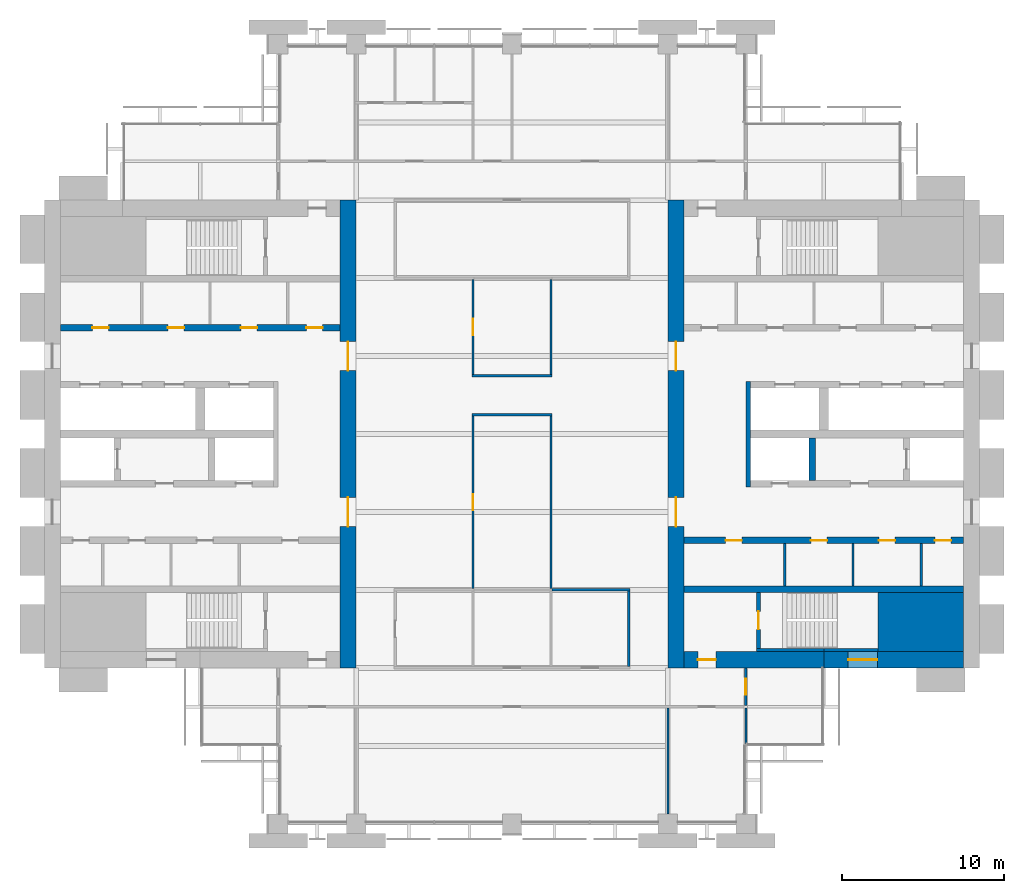
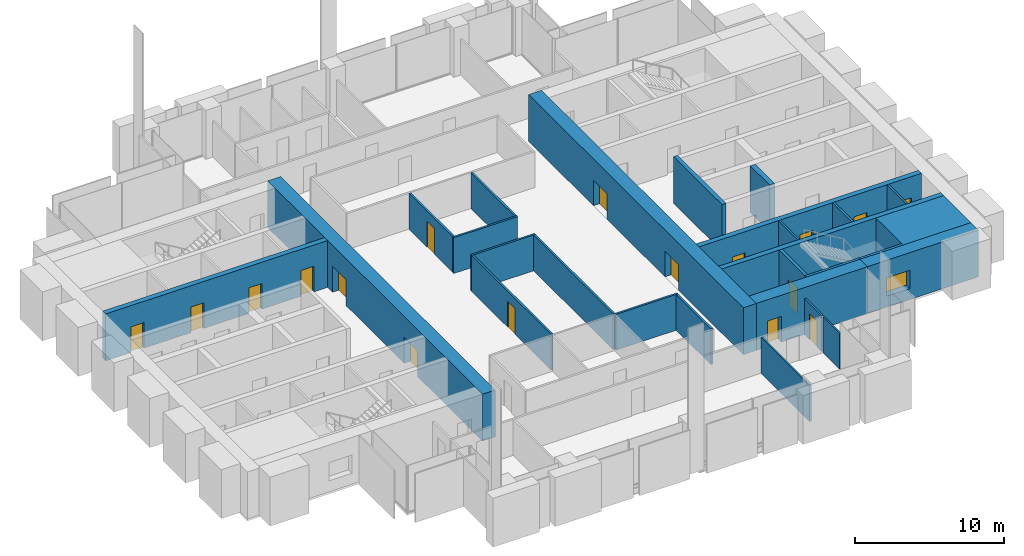
# One storey, part 10 of 14: 27 walls, 17 doors, 1 window, 18 openings.
"""IFC4 building model written with IfcOpenShell, lengths in metres."""

from ifc_helpers import new_model, si_unit, direction, frame, frame_2d, origin, place, context, subcontext, project, spatial, rectangle, extrude, material, layer, layer_set, type_object, element, fill, save


model = new_model("IFC4")

# Units and contexts
model_context = context("Model", 3, precision=1e-05, world=origin(), true_north=direction((0.0, 1.0)))
body_context = subcontext(model_context, "Body", "Model", "MODEL_VIEW")
ifc_project = project(units=[si_unit("LENGTHUNIT", "METRE"), si_unit("AREAUNIT", "SQUARE_METRE"), si_unit("VOLUMEUNIT", "CUBIC_METRE"), si_unit("PLANEANGLEUNIT", "RADIAN"), si_unit("MASSUNIT", "GRAM", prefix="KILO")], contexts=[model_context])

# Site, building, storey
site_placement = place(None, origin())
site = spatial("IfcSite", under=ifc_project, at=site_placement, CompositionType="ELEMENT")
building_placement = place(site_placement, origin())
building = spatial("IfcBuilding", under=site, at=building_placement, Name="Baori Bourse Tower", CompositionType="ELEMENT")
storey_placement = place(building_placement, frame((0.0, 0.0, 132.10009765625)))
storey = spatial("IfcBuildingStorey", under=building, at=storey_placement, Name="L28", CompositionType="ELEMENT", Elevation=132.10009765625)

# Walls
ifc_material_1 = material(Name="Concrete f'c 60 MPa", Category="concrete")
wall_type_1 = type_object("IfcWallType", Name="Core corner block f'c 60", PredefinedType="SHEAR", material=ifc_material_1)
wall_1_placement = place(storey_placement, frame((51.35009765625, 12.425048828125, 0.0), z_axis=(0.0, 0.0, 1.0), x_axis=(1.0, 0.0, 0.0)))
element("IfcWall", 1, at=wall_1_placement, inside=storey, type_object=wall_type_1, Name="Core wall E05", PredefinedType="SHEAR", context=body_context, shape_type="SweptSolid", body=[
    extrude(rectangle(XDim=5.25, YDim=3.64990234375, at=frame_2d((2.625, 0.0))), origin(), (0.0, 0.0, 1.0), 3.83984375),
])
ifc_material_2 = material(Name="Blockwork partition", Category="masonry")
ifc_layer_1 = layer(ifc_material_2, 0.14990234375)
ifc_layer_set_1 = layer_set([ifc_layer_1], Name="Core partition 150")
wall_type_2 = type_object("IfcWallType", Name="Core partition 150", PredefinedType="PARTITIONING", material=ifc_layer_set_1)
for number, where, z_axis, x_axis, name in (
    (2, (54.0, 14.64990234375, 0.0), (0.0, 0.0, 1.0), (0.0, 1.0, 0.0), "Partition wall E10"),
    (3, (49.800048828125, 14.64990234375, 0.0), (0.0, 0.0, 1.0), (0.0, 1.0, 0.0), "Partition wall E11"),
    (4, (45.60009765625, 14.64990234375, 0.0), (0.0, 0.0, 1.0), (0.0, 1.0, 0.0), "Partition wall E12"),
):
    element("IfcWall", number, at=place(storey_placement, frame(where, z_axis=z_axis, x_axis=x_axis)), inside=storey, type_object=wall_type_2, Name=name, PredefinedType="PARTITIONING", context=body_context, shape_type="SweptSolid", body=[
        extrude(rectangle(XDim=2.60009765625, YDim=0.14990234375, at=frame_2d((1.300048828125, 0.0))), origin(), (0.0, 0.0, 1.0), 3.83984375),
    ])

# Wall, openings, doors
ifc_material_3 = material(Name="Concrete f'c 60 MPa", Category="concrete")
ifc_layer_2 = layer(ifc_material_3, 1.0)
ifc_layer_set_2 = layer_set([ifc_layer_2], Name="Core wall 1000 f'c 60")
wall_type_3 = type_object("IfcWallType", Name="Core wall 1000 f'c 60", PredefinedType="SHEAR", material=ifc_layer_set_2)
wall_2_placement = place(storey_placement, frame((18.699951171875, 38.39990234375, 0.0), z_axis=(0.0, 0.0, 1.0), x_axis=(0.0, -1.0, 0.0)))
wall_2 = element("IfcWall", 5, at=wall_2_placement, inside=storey, type_object=wall_type_3, Name="Core wall W04", PredefinedType="SHEAR", context=body_context, shape_type="SweptSolid", body=[
    extrude(rectangle(XDim=28.7998046875, YDim=1.0, at=frame_2d((14.39990234375, 0.0))), origin(), (0.0, 0.0, 1.0), 3.83984375),
])
opening_1_placement = place(wall_2_placement, frame((18.300048828125, 0.0, 0.0)))
opening_1 = element("IfcOpeningElement", 6, at=opening_1_placement, cuts=wall_2, Name="Opening L28-D107", PredefinedType="OPENING", context=body_context, shape_type="SweptSolid", body=[
    extrude(rectangle(XDim=1.800048828125, YDim=2.10009765625, at=frame_2d((0.89990234375, 1.050048828125))), frame((0.0, 0.510009765625, 0.0), z_axis=(0.0, -1.0, 0.0), x_axis=(1.0, 0.0, 0.0)), (0.0, 0.0, 1.0), 1.02001953125),
])
opening_2_placement = place(wall_2_placement, frame((8.699951171875, 0.0, 0.0)))
opening_2 = element("IfcOpeningElement", 7, at=opening_2_placement, cuts=wall_2, Name="Opening L28-D108", PredefinedType="OPENING", context=body_context, shape_type="SweptSolid", body=[
    extrude(rectangle(XDim=1.800048828125, YDim=2.10009765625, at=frame_2d((0.89990234375, 1.050048828125))), frame((0.0, 0.510009765625, 0.0), z_axis=(0.0, -1.0, 0.0), x_axis=(1.0, 0.0, 0.0)), (0.0, 0.0, 1.0), 1.02001953125),
])
ifc_material_4 = material(Name="Painted steel door", Category="steel")
door_type_1 = type_object("IfcDoorType", Name="Core lobby door 1800", OperationType="DOUBLE_DOOR_SINGLE_SWING", PredefinedType="DOOR", material=ifc_material_4)
door_1_placement = place(opening_1_placement, origin())
door_1 = element("IfcDoor", 8, at=door_1_placement, inside=storey, type_object=door_type_1, Name="Lobby door W L28", OperationType="DOUBLE_DOOR_SINGLE_SWING", OverallHeight=2.10009765625, OverallWidth=1.800048828125, PredefinedType="DOOR", context=body_context, shape_type="SweptSolid", body=[
    extrude(rectangle(XDim=1.800048828125, YDim=2.10009765625, at=frame_2d((0.89990234375, 1.050048828125))), frame((0.0, 0.02490234375, 0.0), z_axis=(0.0, -1.0, 0.0), x_axis=(1.0, 0.0, 0.0)), (0.0, 0.0, 1.0), 0.050048828125),
])
fill(opening_1, door_1)
door_2_placement = place(opening_2_placement, origin())
door_2 = element("IfcDoor", 9, at=door_2_placement, inside=storey, type_object=door_type_1, Name="Lobby door W L28", OperationType="DOUBLE_DOOR_SINGLE_SWING", OverallHeight=2.10009765625, OverallWidth=1.800048828125, PredefinedType="DOOR", context=body_context, shape_type="SweptSolid", body=[
    extrude(rectangle(XDim=1.800048828125, YDim=2.10009765625, at=frame_2d((0.89990234375, 1.050048828125))), frame((0.0, 0.02490234375, 0.0), z_axis=(0.0, -1.0, 0.0), x_axis=(1.0, 0.0, 0.0)), (0.0, 0.0, 1.0), 0.050048828125),
])
fill(opening_2, door_2)

# Wall, opening, window
wall_3_placement = place(storey_placement, frame((56.60009765625, 10.10009765625, 0.0), z_axis=(0.0, 0.0, 1.0), x_axis=(-1.0, 0.0, 0.0)))
wall_3 = element("IfcWall", 10, at=wall_3_placement, inside=storey, type_object=wall_type_3, Name="Core wall E02", PredefinedType="SHEAR", context=body_context, shape_type="SweptSolid", body=[
    extrude(rectangle(XDim=8.60009765625, YDim=1.0, at=frame_2d((4.300048828125, 0.0))), origin(), (0.0, 0.0, 1.0), 3.83984375),
])
opening_3_placement = place(wall_3_placement, frame((5.300048828125, 0.0, 0.89990234375)))
opening_3 = element("IfcOpeningElement", 11, at=opening_3_placement, cuts=wall_3, Name="Opening L28-KW203", PredefinedType="OPENING", context=body_context, shape_type="SweptSolid", body=[
    extrude(rectangle(XDim=1.800048828125, YDim=1.5, at=frame_2d((0.89990234375, 0.75))), frame((0.0, 0.510009765625, 0.0), z_axis=(0.0, -1.0, 0.0), x_axis=(1.0, 0.0, 0.0)), (0.0, 0.0, 1.0), 1.02001953125),
])
ifc_material_5 = material(Name="Pale anodised aluminium", Category="aluminium")
window_type = type_object("IfcWindowType", Name="Stair window 1800 x 1500", PartitioningType="SINGLE_PANEL", PredefinedType="WINDOW", material=ifc_material_5)
window_placement = place(opening_3_placement, origin())
window = element("IfcWindow", 12, at=window_placement, inside=storey, type_object=window_type, Name="Stair window E L28 3", OverallHeight=1.5, OverallWidth=1.800048828125, PartitioningType="SINGLE_PANEL", PredefinedType="WINDOW", context=body_context, shape_type="SweptSolid", body=[
    extrude(rectangle(XDim=1.800048828125, YDim=1.5, at=frame_2d((0.89990234375, 0.75))), frame((0.0, 0.030029296875, 0.0), z_axis=(0.0, -1.0, 0.0), x_axis=(1.0, 0.0, 0.0)), (0.0, 0.0, 1.0), 0.06005859375),
])
fill(opening_3, window)

# Wall, opening, door
wall_4_placement = place(storey_placement, frame((48.0, 10.10009765625, 0.0), z_axis=(0.0, 0.0, 1.0), x_axis=(-1.0, 0.0, 0.0)))
wall_4 = element("IfcWall", 13, at=wall_4_placement, inside=storey, type_object=wall_type_3, Name="Core wall E03", PredefinedType="SHEAR", context=body_context, shape_type="SweptSolid", body=[
    extrude(rectangle(XDim=8.60009765625, YDim=1.0, at=frame_2d((4.300048828125, 0.0))), origin(), (0.0, 0.0, 1.0), 3.83984375),
])
opening_4_placement = place(wall_4_placement, frame((6.64990234375, 0.0, 0.0)))
opening_4 = element("IfcOpeningElement", 14, at=opening_4_placement, cuts=wall_4, Name="Opening L28-D202", PredefinedType="OPENING", context=body_context, shape_type="SweptSolid", body=[
    extrude(rectangle(XDim=1.10009765625, YDim=2.10009765625, at=frame_2d((0.550048828125, 1.050048828125))), frame((0.0, 0.510009765625, 0.0), z_axis=(0.0, -1.0, 0.0), x_axis=(1.0, 0.0, 0.0)), (0.0, 0.0, 1.0), 1.02001953125),
])
ifc_material_6 = material(Name="Painted steel door", Category="steel")
door_type_2 = type_object("IfcDoorType", Name="Stair door 1100", OperationType="SINGLE_SWING_LEFT", PredefinedType="DOOR", material=ifc_material_6)
door_3_placement = place(opening_4_placement, origin())
door_3 = element("IfcDoor", 15, at=door_3_placement, inside=storey, type_object=door_type_2, Name="Stair vestibule door A E L28", OperationType="SINGLE_SWING_LEFT", OverallHeight=2.10009765625, OverallWidth=1.10009765625, PredefinedType="DOOR", context=body_context, shape_type="SweptSolid", body=[
    extrude(rectangle(XDim=1.10009765625, YDim=2.10009765625, at=frame_2d((0.550048828125, 1.050048828125))), frame((0.0, 0.02490234375, 0.0), z_axis=(0.0, -1.0, 0.0), x_axis=(1.0, 0.0, 0.0)), (0.0, 0.0, 1.0), 0.050048828125),
])
fill(opening_4, door_3)

# Wall, openings, doors
wall_5_placement = place(storey_placement, frame((38.89990234375, 9.60009765625, 0.0), z_axis=(0.0, 0.0, 1.0), x_axis=(0.0, 1.0, 0.0)))
wall_5 = element("IfcWall", 16, at=wall_5_placement, inside=storey, type_object=wall_type_3, Name="Core wall E04", PredefinedType="SHEAR", context=body_context, shape_type="SweptSolid", body=[
    extrude(rectangle(XDim=28.7998046875, YDim=1.0, at=frame_2d((14.39990234375, 0.0))), origin(), (0.0, 0.0, 1.0), 3.83984375),
])
opening_5_placement = place(wall_5_placement, frame((8.699951171875, 0.0, 0.0)))
opening_5 = element("IfcOpeningElement", 17, at=opening_5_placement, cuts=wall_5, Name="Opening L28-D207", PredefinedType="OPENING", context=body_context, shape_type="SweptSolid", body=[
    extrude(rectangle(XDim=1.800048828125, YDim=2.10009765625, at=frame_2d((0.89990234375, 1.050048828125))), frame((0.0, 0.510009765625, 0.0), z_axis=(0.0, -1.0, 0.0), x_axis=(1.0, 0.0, 0.0)), (0.0, 0.0, 1.0), 1.02001953125),
])
opening_6_placement = place(wall_5_placement, frame((18.300048828125, 0.0, 0.0)))
opening_6 = element("IfcOpeningElement", 18, at=opening_6_placement, cuts=wall_5, Name="Opening L28-D208", PredefinedType="OPENING", context=body_context, shape_type="SweptSolid", body=[
    extrude(rectangle(XDim=1.800048828125, YDim=2.10009765625, at=frame_2d((0.89990234375, 1.050048828125))), frame((0.0, 0.510009765625, 0.0), z_axis=(0.0, -1.0, 0.0), x_axis=(1.0, 0.0, 0.0)), (0.0, 0.0, 1.0), 1.02001953125),
])
door_4_placement = place(opening_5_placement, origin())
door_4 = element("IfcDoor", 19, at=door_4_placement, inside=storey, type_object=door_type_1, Name="Lobby door E L28", OperationType="DOUBLE_DOOR_SINGLE_SWING", OverallHeight=2.10009765625, OverallWidth=1.800048828125, PredefinedType="DOOR", context=body_context, shape_type="SweptSolid", body=[
    extrude(rectangle(XDim=1.800048828125, YDim=2.10009765625, at=frame_2d((0.89990234375, 1.050048828125))), frame((0.0, 0.02490234375, 0.0), z_axis=(0.0, -1.0, 0.0), x_axis=(1.0, 0.0, 0.0)), (0.0, 0.0, 1.0), 0.050048828125),
])
fill(opening_5, door_4)
door_5_placement = place(opening_6_placement, origin())
door_5 = element("IfcDoor", 20, at=door_5_placement, inside=storey, type_object=door_type_1, Name="Lobby door E L28", OperationType="DOUBLE_DOOR_SINGLE_SWING", OverallHeight=2.10009765625, OverallWidth=1.800048828125, PredefinedType="DOOR", context=body_context, shape_type="SweptSolid", body=[
    extrude(rectangle(XDim=1.800048828125, YDim=2.10009765625, at=frame_2d((0.89990234375, 1.050048828125))), frame((0.0, 0.02490234375, 0.0), z_axis=(0.0, -1.0, 0.0), x_axis=(1.0, 0.0, 0.0)), (0.0, 0.0, 1.0), 0.050048828125),
])
fill(opening_6, door_5)

# Walls
ifc_material_7 = material(Name="Gypsum board partition")
ifc_layer_3 = layer(ifc_material_7, 0.14990234375)
ifc_layer_set_3 = layer_set([ifc_layer_3], Name="Corridor partition 150")
wall_type_4 = type_object("IfcWallType", Name="Corridor partition 150", PredefinedType="PARTITIONING", material=ifc_layer_set_3)
wall_6_placement = place(storey_placement, frame((31.27490234375, 14.39990234375, 0.0), z_axis=(0.0, 0.0, 1.0), x_axis=(1.0, 0.0, 0.0)))
element("IfcWall", 21, at=wall_6_placement, inside=storey, type_object=wall_type_4, Name="Partition", PredefinedType="PARTITIONING", context=body_context, shape_type="SweptSolid", body=[
    extrude(rectangle(XDim=4.800048828125, YDim=0.14990234375, at=frame_2d((2.39990234375, 0.0))), origin(), (0.0, 0.0, 1.0), 2.935546875),
])
for number, where, z_axis, x_axis, name in (
    (22, (26.324951171875, 25.199951171875, 0.0), (0.0, 0.0, 1.0), (1.0, 0.0, 0.0), "Partition"),
    (23, (26.324951171875, 27.60009765625, 0.0), (0.0, 0.0, 1.0), (1.0, 0.0, 0.0), "Partition"),
):
    element("IfcWall", number, at=place(storey_placement, frame(where, z_axis=z_axis, x_axis=x_axis)), inside=storey, type_object=wall_type_4, Name=name, PredefinedType="PARTITIONING", context=body_context, shape_type="SweptSolid", body=[
        extrude(rectangle(XDim=4.949951171875, YDim=0.14990234375, at=frame_2d((2.47509765625, 0.0))), origin(), (0.0, 0.0, 1.0), 2.935546875),
    ])

# Wall, opening, door
wall_7_placement = place(storey_placement, frame((26.39990234375, 14.47509765625, 0.0), z_axis=(0.0, 0.0, 1.0), x_axis=(0.0, 1.0, 0.0)))
wall_7 = element("IfcWall", 24, at=wall_7_placement, inside=storey, type_object=wall_type_4, Name="Partition", PredefinedType="PARTITIONING", context=body_context, shape_type="SweptSolid", body=[
    extrude(rectangle(XDim=10.64990234375, YDim=0.14990234375, at=frame_2d((5.324951171875, 0.0))), origin(), (0.0, 0.0, 1.0), 2.935546875),
])
opening_7_placement = place(wall_7_placement, frame((4.824951171875, 0.0, 0.0)))
opening_7 = element("IfcOpeningElement", 25, at=opening_7_placement, cuts=wall_7, Name="Opening L28-D18", PredefinedType="OPENING", context=body_context, shape_type="SweptSolid", body=[
    extrude(rectangle(XDim=1.0, YDim=2.10009765625, at=frame_2d((0.5, 1.050048828125))), frame((0.0, 0.0849609375, 0.0), z_axis=(0.0, -1.0, 0.0), x_axis=(1.0, 0.0, 0.0)), (0.0, 0.0, 1.0), 0.169921875),
])
ifc_material_8 = material(Name="Timber door leaf", Category="wood")
door_type_3 = type_object("IfcDoorType", Name="Door 1000 x 2100", OperationType="SINGLE_SWING_LEFT", PredefinedType="DOOR", material=ifc_material_8)
door_6_placement = place(opening_7_placement, origin())
door_6 = element("IfcDoor", 26, at=door_6_placement, inside=storey, type_object=door_type_3, Name="Door", OperationType="SINGLE_SWING_RIGHT", OverallHeight=2.10009765625, OverallWidth=1.0, PredefinedType="DOOR", context=body_context, shape_type="SweptSolid", body=[
    extrude(rectangle(XDim=1.0, YDim=2.10009765625, at=frame_2d((0.5, 1.050048828125))), frame((0.0, 0.02490234375, 0.0), z_axis=(0.0, -1.0, 0.0), x_axis=(1.0, 0.0, 0.0)), (0.0, 0.0, 1.0), 0.050048828125),
])
fill(opening_7, door_6)

wall_8_placement = place(storey_placement, frame((26.39990234375, 27.675048828125, 0.0), z_axis=(0.0, 0.0, 1.0), x_axis=(0.0, 1.0, 0.0)))
wall_8 = element("IfcWall", 27, at=wall_8_placement, inside=storey, type_object=wall_type_4, Name="Partition", PredefinedType="PARTITIONING", context=body_context, shape_type="SweptSolid", body=[
    extrude(rectangle(XDim=5.849853515625, YDim=0.14990234375, at=frame_2d((2.9248046875, 0.0))), origin(), (0.0, 0.0, 1.0), 2.935546875),
])
opening_8_placement = place(wall_8_placement, frame((2.425048828125, 0.0, 0.0)))
opening_8 = element("IfcOpeningElement", 28, at=opening_8_placement, cuts=wall_8, Name="Opening L28-D19", PredefinedType="OPENING", context=body_context, shape_type="SweptSolid", body=[
    extrude(rectangle(XDim=1.0, YDim=2.10009765625, at=frame_2d((0.5, 1.050048828125))), frame((0.0, 0.0849609375, 0.0), z_axis=(0.0, -1.0, 0.0), x_axis=(1.0, 0.0, 0.0)), (0.0, 0.0, 1.0), 0.169921875),
])
door_7_placement = place(opening_8_placement, origin())
door_7 = element("IfcDoor", 29, at=door_7_placement, inside=storey, type_object=door_type_3, Name="Door", OperationType="SINGLE_SWING_RIGHT", OverallHeight=2.10009765625, OverallWidth=1.0, PredefinedType="DOOR", context=body_context, shape_type="SweptSolid", body=[
    extrude(rectangle(XDim=1.0, YDim=2.10009765625, at=frame_2d((0.5, 1.050048828125))), frame((0.0, 0.02490234375, 0.0), z_axis=(0.0, -1.0, 0.0), x_axis=(1.0, 0.0, 0.0)), (0.0, 0.0, 1.0), 0.050048828125),
])
fill(opening_8, door_7)

# Walls
wall_9_placement = place(storey_placement, frame((31.199951171875, 14.47509765625, 0.0), z_axis=(0.0, 0.0, 1.0), x_axis=(0.0, 1.0, 0.0)))
element("IfcWall", 30, at=wall_9_placement, inside=storey, type_object=wall_type_4, Name="Partition", PredefinedType="PARTITIONING", context=body_context, shape_type="SweptSolid", body=[
    extrude(rectangle(XDim=10.64990234375, YDim=0.14990234375, at=frame_2d((5.324951171875, 0.0))), origin(), (0.0, 0.0, 1.0), 2.935546875),
])
wall_10_placement = place(storey_placement, frame((31.199951171875, 27.675048828125, 0.0), z_axis=(0.0, 0.0, 1.0), x_axis=(0.0, 1.0, 0.0)))
element("IfcWall", 31, at=wall_10_placement, inside=storey, type_object=wall_type_4, Name="Partition", PredefinedType="PARTITIONING", context=body_context, shape_type="SweptSolid", body=[
    extrude(rectangle(XDim=5.849853515625, YDim=0.14990234375, at=frame_2d((2.9248046875, 0.0))), origin(), (0.0, 0.0, 1.0), 2.935546875),
])
wall_11_placement = place(storey_placement, frame((36.0, 9.675048828125, 0.0), z_axis=(0.0, 0.0, 1.0), x_axis=(0.0, 1.0, 0.0)))
element("IfcWall", 32, at=wall_11_placement, inside=storey, type_object=wall_type_4, Name="Partition", PredefinedType="PARTITIONING", context=body_context, shape_type="SweptSolid", body=[
    extrude(rectangle(XDim=4.64990234375, YDim=0.14990234375, at=frame_2d((2.324951171875, 0.0))), origin(), (0.0, 0.0, 1.0), 2.935546875),
])

# Wall, opening, door
wall_12_placement = place(storey_placement, frame((43.199951171875, 7.27490234375, 0.0), z_axis=(0.0, 0.0, 1.0), x_axis=(0.0, 1.0, 0.0)))
wall_12 = element("IfcWall", 33, at=wall_12_placement, inside=storey, type_object=wall_type_4, Name="Partition", PredefinedType="PARTITIONING", context=body_context, shape_type="SweptSolid", body=[
    extrude(rectangle(XDim=2.3251953125, YDim=0.14990234375, at=frame_2d((1.16259765625, 0.0))), origin(), (0.0, 0.0, 1.0), 2.935546875),
])
opening_9_placement = place(wall_12_placement, frame((0.66259765625, 0.0, 0.0)))
opening_9 = element("IfcOpeningElement", 34, at=opening_9_placement, cuts=wall_12, Name="Opening L28-D20", PredefinedType="OPENING", context=body_context, shape_type="SweptSolid", body=[
    extrude(rectangle(XDim=1.0, YDim=2.10009765625, at=frame_2d((0.5, 1.050048828125))), frame((0.0, 0.0849609375, 0.0), z_axis=(0.0, -1.0, 0.0), x_axis=(1.0, 0.0, 0.0)), (0.0, 0.0, 1.0), 0.169921875),
])
door_8_placement = place(opening_9_placement, origin())
door_8 = element("IfcDoor", 35, at=door_8_placement, inside=storey, type_object=door_type_3, Name="Door", OperationType="SINGLE_SWING_LEFT", OverallHeight=2.10009765625, OverallWidth=1.0, PredefinedType="DOOR", context=body_context, shape_type="SweptSolid", body=[
    extrude(rectangle(XDim=1.0, YDim=2.10009765625, at=frame_2d((0.5, 1.050048828125))), frame((0.0, 0.02490234375, 0.0), z_axis=(0.0, -1.0, 0.0), x_axis=(1.0, 0.0, 0.0)), (0.0, 0.0, 1.0), 0.050048828125),
])
fill(opening_9, door_8)

# Walls
ifc_material_9 = material(Name="Gypsum board partition")
ifc_layer_4 = layer(ifc_material_9, 0.125)
ifc_layer_set_4 = layer_set([ifc_layer_4], Name="Partition 125")
wall_type_5 = type_object("IfcWallType", Name="Partition 125", PredefinedType="PARTITIONING", material=ifc_layer_set_4)
wall_13_placement = place(storey_placement, frame((38.39990234375, 0.60009765625, 0.0), z_axis=(0.0, 0.0, 1.0), x_axis=(0.0, 1.0, 0.0)))
element("IfcWall", 36, at=wall_13_placement, inside=storey, type_object=wall_type_5, Name="Partition", PredefinedType="PARTITIONING", context=body_context, shape_type="SweptSolid", body=[
    extrude(rectangle(XDim=6.52490234375, YDim=0.125, at=frame_2d((3.262451171875, 0.0))), origin(), (0.0, 0.0, 1.0), 2.935546875),
])
wall_14_placement = place(storey_placement, frame((43.199951171875, 4.89990234375, 0.0), z_axis=(0.0, 0.0, 1.0), x_axis=(0.0, 1.0, 0.0)))
element("IfcWall", 37, at=wall_14_placement, inside=storey, type_object=wall_type_5, Name="Partition", PredefinedType="PARTITIONING", context=body_context, shape_type="SweptSolid", body=[
    extrude(rectangle(XDim=2.22509765625, YDim=0.125, at=frame_2d((1.112548828125, 0.0))), origin(), (0.0, 0.0, 1.0), 2.935546875),
])
ifc_material_10 = material(Name="Concrete f'c 60 MPa", Category="concrete")
ifc_layer_5 = layer(ifc_material_10, 0.199951171875)
ifc_layer_set_5 = layer_set([ifc_layer_5], Name="Shaft wall 200 f'c 60")
wall_type_6 = type_object("IfcWallType", Name="Shaft wall 200 f'c 60", PredefinedType="SHEAR", material=ifc_layer_set_5)
wall_15_placement = place(storey_placement, frame((48.0, 10.699951171875, 0.0), z_axis=(0.0, 0.0, 1.0), x_axis=(1.0, 0.0, 0.0)))
element("IfcWall", 38, at=wall_15_placement, inside=storey, type_object=wall_type_6, Name="Core wall E06", PredefinedType="SHEAR", context=body_context, shape_type="SweptSolid", body=[
    extrude(rectangle(XDim=3.35009765625, YDim=0.199951171875, at=frame_2d((1.675048828125, 0.0))), origin(), (0.0, 0.0, 1.0), 3.83984375),
])
wall_16_placement = place(storey_placement, frame((43.85009765625, 10.699951171875, 0.0), z_axis=(0.0, 0.0, 1.0), x_axis=(1.0, 0.0, 0.0)))
element("IfcWall", 39, at=wall_16_placement, inside=storey, type_object=wall_type_6, Name="Core wall E07", PredefinedType="SHEAR", context=body_context, shape_type="SweptSolid", body=[
    extrude(rectangle(XDim=4.14990234375, YDim=0.199951171875, at=frame_2d((2.074951171875, 0.0))), origin(), (0.0, 0.0, 1.0), 3.83984375),
])

# Wall, opening, door
ifc_material_11 = material(Name="Concrete f'c 60 MPa", Category="concrete")
ifc_layer_6 = layer(ifc_material_11, 0.25)
ifc_layer_set_6 = layer_set([ifc_layer_6], Name="Shaft wall 250 f'c 60")
wall_type_7 = type_object("IfcWallType", Name="Shaft wall 250 f'c 60", PredefinedType="SHEAR", material=ifc_layer_set_6)
wall_17_placement = place(storey_placement, frame((43.97509765625, 10.800048828125, 0.0), z_axis=(0.0, 0.0, 1.0), x_axis=(0.0, 1.0, 0.0)))
wall_17 = element("IfcWall", 40, at=wall_17_placement, inside=storey, type_object=wall_type_7, Name="Core wall E08", PredefinedType="SHEAR", context=body_context, shape_type="SweptSolid", body=[
    extrude(rectangle(XDim=3.449951171875, YDim=0.25, at=frame_2d((1.72509765625, 0.0))), origin(), (0.0, 0.0, 1.0), 3.83984375),
])
opening_10_placement = place(wall_17_placement, frame((1.175048828125, 0.0, 0.0)))
opening_10 = element("IfcOpeningElement", 41, at=opening_10_placement, cuts=wall_17, Name="Opening L28-D201", PredefinedType="OPENING", context=body_context, shape_type="SweptSolid", body=[
    extrude(rectangle(XDim=1.10009765625, YDim=2.10009765625, at=frame_2d((0.550048828125, 1.050048828125))), frame((0.0, 0.135009765625, 0.0), z_axis=(0.0, -1.0, 0.0), x_axis=(1.0, 0.0, 0.0)), (0.0, 0.0, 1.0), 0.27001953125),
])
door_9_placement = place(opening_10_placement, origin())
door_9 = element("IfcDoor", 42, at=door_9_placement, inside=storey, type_object=door_type_2, Name="Stair door A E L28", OperationType="SINGLE_SWING_LEFT", OverallHeight=2.10009765625, OverallWidth=1.10009765625, PredefinedType="DOOR", context=body_context, shape_type="SweptSolid", body=[
    extrude(rectangle(XDim=1.10009765625, YDim=2.10009765625, at=frame_2d((0.550048828125, 1.050048828125))), frame((0.0, 0.02490234375, 0.0), z_axis=(0.0, -1.0, 0.0), x_axis=(1.0, 0.0, 0.0)), (0.0, 0.0, 1.0), 0.050048828125),
])
fill(opening_10, door_9)

# Wall
ifc_material_12 = material(Name="Concrete f'c 60 MPa", Category="concrete")
ifc_layer_7 = layer(ifc_material_12, 0.300048828125)
ifc_layer_set_7 = layer_set([ifc_layer_7], Name="Shaft wall 300 f'c 60")
wall_type_8 = type_object("IfcWallType", Name="Shaft wall 300 f'c 60", PredefinedType="SHEAR", material=ifc_layer_set_7)
wall_18_placement = place(storey_placement, frame((43.35009765625, 20.75, 0.0), z_axis=(0.0, 0.0, 1.0), x_axis=(0.0, 1.0, 0.0)))
element("IfcWall", 43, at=wall_18_placement, inside=storey, type_object=wall_type_8, Name="Core wall E15", PredefinedType="SHEAR", context=body_context, shape_type="SweptSolid", body=[
    extrude(rectangle(XDim=6.5, YDim=0.300048828125, at=frame_2d((3.25, 0.0))), origin(), (0.0, 0.0, 1.0), 3.83984375),
])

# Wall, openings, doors
ifc_material_13 = material(Name="Concrete f'c 60 MPa", Category="concrete")
ifc_layer_8 = layer(ifc_material_13, 0.39990234375)
ifc_layer_set_8 = layer_set([ifc_layer_8], Name="Shaft wall 400 f'c 60")
wall_type_9 = type_object("IfcWallType", Name="Shaft wall 400 f'c 60", PredefinedType="SHEAR", material=ifc_layer_set_8)
wall_19_placement = place(storey_placement, frame((1.0, 30.550048828125, 0.0), z_axis=(0.0, 0.0, 1.0), x_axis=(1.0, 0.0, 0.0)))
wall_19 = element("IfcWall", 44, at=wall_19_placement, inside=storey, type_object=wall_type_9, Name="Core wall W21", PredefinedType="SHEAR", context=body_context, shape_type="SweptSolid", body=[
    extrude(rectangle(XDim=17.199951171875, YDim=0.39990234375, at=frame_2d((8.60009765625, 0.0))), origin(), (0.0, 0.0, 1.0), 3.83984375),
])
opening_11_placement = place(wall_19_placement, frame((1.96240234375, 0.0, 0.0)))
opening_11 = element("IfcOpeningElement", 45, at=opening_11_placement, cuts=wall_19, Name="Opening L28-D109", PredefinedType="OPENING", context=body_context, shape_type="SweptSolid", body=[
    extrude(rectangle(XDim=1.0, YDim=2.10009765625, at=frame_2d((0.5, 1.050048828125))), frame((0.0, 0.2099609375, 0.0), z_axis=(0.0, -1.0, 0.0), x_axis=(1.0, 0.0, 0.0)), (0.0, 0.0, 1.0), 0.419921875),
])
opening_12_placement = place(wall_19_placement, frame((6.60009765625, 0.0, 0.0)))
opening_12 = element("IfcOpeningElement", 46, at=opening_12_placement, cuts=wall_19, Name="Opening L28-D110", PredefinedType="OPENING", context=body_context, shape_type="SweptSolid", body=[
    extrude(rectangle(XDim=1.0, YDim=2.10009765625, at=frame_2d((0.5, 1.050048828125))), frame((0.0, 0.2099609375, 0.0), z_axis=(0.0, -1.0, 0.0), x_axis=(1.0, 0.0, 0.0)), (0.0, 0.0, 1.0), 0.419921875),
])
opening_13_placement = place(wall_19_placement, frame((11.10009765625, 0.0, 0.0)))
opening_13 = element("IfcOpeningElement", 47, at=opening_13_placement, cuts=wall_19, Name="Opening L28-D111", PredefinedType="OPENING", context=body_context, shape_type="SweptSolid", body=[
    extrude(rectangle(XDim=1.0, YDim=2.10009765625, at=frame_2d((0.5, 1.050048828125))), frame((0.0, 0.2099609375, 0.0), z_axis=(0.0, -1.0, 0.0), x_axis=(1.0, 0.0, 0.0)), (0.0, 0.0, 1.0), 0.419921875),
])
opening_14_placement = place(wall_19_placement, frame((15.137451171875, 0.0, 0.0)))
opening_14 = element("IfcOpeningElement", 48, at=opening_14_placement, cuts=wall_19, Name="Opening L28-D112", PredefinedType="OPENING", context=body_context, shape_type="SweptSolid", body=[
    extrude(rectangle(XDim=1.0, YDim=2.10009765625, at=frame_2d((0.5, 1.050048828125))), frame((0.0, 0.2099609375, 0.0), z_axis=(0.0, -1.0, 0.0), x_axis=(1.0, 0.0, 0.0)), (0.0, 0.0, 1.0), 0.419921875),
])
ifc_material_14 = material(Name="Painted steel door", Category="steel")
door_type_4 = type_object("IfcDoorType", Name="Core door 1000", OperationType="SINGLE_SWING_LEFT", PredefinedType="DOOR", material=ifc_material_14)
door_10_placement = place(opening_11_placement, origin())
door_10 = element("IfcDoor", 49, at=door_10_placement, inside=storey, type_object=door_type_4, Name="Men'S Wc door W L28", OperationType="SINGLE_SWING_LEFT", OverallHeight=2.10009765625, OverallWidth=1.0, PredefinedType="DOOR", context=body_context, shape_type="SweptSolid", body=[
    extrude(rectangle(XDim=1.0, YDim=2.10009765625, at=frame_2d((0.5, 1.050048828125))), frame((0.0, 0.02490234375, 0.0), z_axis=(0.0, -1.0, 0.0), x_axis=(1.0, 0.0, 0.0)), (0.0, 0.0, 1.0), 0.050048828125),
])
fill(opening_11, door_10)
door_11_placement = place(opening_12_placement, origin())
door_11 = element("IfcDoor", 50, at=door_11_placement, inside=storey, type_object=door_type_4, Name="Accessible Wc door W L28", OperationType="SINGLE_SWING_LEFT", OverallHeight=2.10009765625, OverallWidth=1.0, PredefinedType="DOOR", context=body_context, shape_type="SweptSolid", body=[
    extrude(rectangle(XDim=1.0, YDim=2.10009765625, at=frame_2d((0.5, 1.050048828125))), frame((0.0, 0.02490234375, 0.0), z_axis=(0.0, -1.0, 0.0), x_axis=(1.0, 0.0, 0.0)), (0.0, 0.0, 1.0), 0.050048828125),
])
fill(opening_12, door_11)
door_12_placement = place(opening_13_placement, origin())
door_12 = element("IfcDoor", 51, at=door_12_placement, inside=storey, type_object=door_type_4, Name="Women'S Wc door W L28", OperationType="SINGLE_SWING_LEFT", OverallHeight=2.10009765625, OverallWidth=1.0, PredefinedType="DOOR", context=body_context, shape_type="SweptSolid", body=[
    extrude(rectangle(XDim=1.0, YDim=2.10009765625, at=frame_2d((0.5, 1.050048828125))), frame((0.0, 0.02490234375, 0.0), z_axis=(0.0, -1.0, 0.0), x_axis=(1.0, 0.0, 0.0)), (0.0, 0.0, 1.0), 0.050048828125),
])
fill(opening_13, door_12)
ifc_material_15 = material(Name="Painted steel door", Category="steel")
door_type_5 = type_object("IfcDoorType", Name="Plant room door 1000", OperationType="SINGLE_SWING_LEFT", PredefinedType="DOOR", material=ifc_material_15)
door_13_placement = place(opening_14_placement, origin())
door_13 = element("IfcDoor", 52, at=door_13_placement, inside=storey, type_object=door_type_5, Name="Plumbing Equipment Room door W L28", OperationType="SINGLE_SWING_LEFT", OverallHeight=2.10009765625, OverallWidth=1.0, PredefinedType="DOOR", context=body_context, shape_type="SweptSolid", body=[
    extrude(rectangle(XDim=1.0, YDim=2.10009765625, at=frame_2d((0.5, 1.050048828125))), frame((0.0, 0.02490234375, 0.0), z_axis=(0.0, -1.0, 0.0), x_axis=(1.0, 0.0, 0.0)), (0.0, 0.0, 1.0), 0.050048828125),
])
fill(opening_14, door_13)

# Wall
wall_20_placement = place(storey_placement, frame((39.39990234375, 14.449951171875, 0.0), z_axis=(0.0, 0.0, 1.0), x_axis=(1.0, 0.0, 0.0)))
element("IfcWall", 53, at=wall_20_placement, inside=storey, type_object=wall_type_9, Name="Core wall E09", PredefinedType="SHEAR", context=body_context, shape_type="SweptSolid", body=[
    extrude(rectangle(XDim=17.2001953125, YDim=0.39990234375, at=frame_2d((8.60009765625, 0.0))), origin(), (0.0, 0.0, 1.0), 3.83984375),
])

# Wall, openings, doors
wall_21_placement = place(storey_placement, frame((39.39990234375, 17.449951171875, 0.0), z_axis=(0.0, 0.0, 1.0), x_axis=(1.0, 0.0, 0.0)))
wall_21 = element("IfcWall", 54, at=wall_21_placement, inside=storey, type_object=wall_type_9, Name="Core wall E13", PredefinedType="SHEAR", context=body_context, shape_type="SweptSolid", body=[
    extrude(rectangle(XDim=17.2001953125, YDim=0.39990234375, at=frame_2d((8.60009765625, 0.0))), origin(), (0.0, 0.0, 1.0), 3.83984375),
])
opening_15_placement = place(wall_21_placement, frame((15.4375, 0.0, 0.0)))
opening_15 = element("IfcOpeningElement", 55, at=opening_15_placement, cuts=wall_21, Name="Opening L28-D213", PredefinedType="OPENING", context=body_context, shape_type="SweptSolid", body=[
    extrude(rectangle(XDim=1.0, YDim=2.10009765625, at=frame_2d((0.5, 1.050048828125))), frame((0.0, 0.2099609375, 0.0), z_axis=(0.0, -1.0, 0.0), x_axis=(1.0, 0.0, 0.0)), (0.0, 0.0, 1.0), 0.419921875),
])
opening_16_placement = place(wall_21_placement, frame((12.0, 0.0, 0.0)))
opening_16 = element("IfcOpeningElement", 56, at=opening_16_placement, cuts=wall_21, Name="Opening L28-D214", PredefinedType="OPENING", context=body_context, shape_type="SweptSolid", body=[
    extrude(rectangle(XDim=1.0, YDim=2.10009765625, at=frame_2d((0.5, 1.050048828125))), frame((0.0, 0.2099609375, 0.0), z_axis=(0.0, -1.0, 0.0), x_axis=(1.0, 0.0, 0.0)), (0.0, 0.0, 1.0), 0.419921875),
])
opening_17_placement = place(wall_21_placement, frame((7.800048828125, 0.0, 0.0)))
opening_17 = element("IfcOpeningElement", 57, at=opening_17_placement, cuts=wall_21, Name="Opening L28-D215", PredefinedType="OPENING", context=body_context, shape_type="SweptSolid", body=[
    extrude(rectangle(XDim=1.0, YDim=2.10009765625, at=frame_2d((0.5, 1.050048828125))), frame((0.0, 0.2099609375, 0.0), z_axis=(0.0, -1.0, 0.0), x_axis=(1.0, 0.0, 0.0)), (0.0, 0.0, 1.0), 0.419921875),
])
opening_18_placement = place(wall_21_placement, frame((2.5625, 0.0, 0.0)))
opening_18 = element("IfcOpeningElement", 58, at=opening_18_placement, cuts=wall_21, Name="Opening L28-D216", PredefinedType="OPENING", context=body_context, shape_type="SweptSolid", body=[
    extrude(rectangle(XDim=1.0, YDim=2.10009765625, at=frame_2d((0.5, 1.050048828125))), frame((0.0, 0.2099609375, 0.0), z_axis=(0.0, -1.0, 0.0), x_axis=(1.0, 0.0, 0.0)), (0.0, 0.0, 1.0), 0.419921875),
])
door_14_placement = place(opening_15_placement, origin())
door_14 = element("IfcDoor", 59, at=door_14_placement, inside=storey, type_object=door_type_4, Name="Janitor'S Closet door E L28", OperationType="SINGLE_SWING_LEFT", OverallHeight=2.10009765625, OverallWidth=1.0, PredefinedType="DOOR", context=body_context, shape_type="SweptSolid", body=[
    extrude(rectangle(XDim=1.0, YDim=2.10009765625, at=frame_2d((0.5, 1.050048828125))), frame((0.0, 0.02490234375, 0.0), z_axis=(0.0, -1.0, 0.0), x_axis=(1.0, 0.0, 0.0)), (0.0, 0.0, 1.0), 0.050048828125),
])
fill(opening_15, door_14)
door_15_placement = place(opening_16_placement, origin())
door_15 = element("IfcDoor", 60, at=door_15_placement, inside=storey, type_object=door_type_4, Name="Women'S Wc door E L28", OperationType="SINGLE_SWING_LEFT", OverallHeight=2.10009765625, OverallWidth=1.0, PredefinedType="DOOR", context=body_context, shape_type="SweptSolid", body=[
    extrude(rectangle(XDim=1.0, YDim=2.10009765625, at=frame_2d((0.5, 1.050048828125))), frame((0.0, 0.02490234375, 0.0), z_axis=(0.0, -1.0, 0.0), x_axis=(1.0, 0.0, 0.0)), (0.0, 0.0, 1.0), 0.050048828125),
])
fill(opening_16, door_15)
door_16_placement = place(opening_17_placement, origin())
door_16 = element("IfcDoor", 61, at=door_16_placement, inside=storey, type_object=door_type_4, Name="Accessible Wc door E L28", OperationType="SINGLE_SWING_LEFT", OverallHeight=2.10009765625, OverallWidth=1.0, PredefinedType="DOOR", context=body_context, shape_type="SweptSolid", body=[
    extrude(rectangle(XDim=1.0, YDim=2.10009765625, at=frame_2d((0.5, 1.050048828125))), frame((0.0, 0.02490234375, 0.0), z_axis=(0.0, -1.0, 0.0), x_axis=(1.0, 0.0, 0.0)), (0.0, 0.0, 1.0), 0.050048828125),
])
fill(opening_17, door_16)
door_17_placement = place(opening_18_placement, origin())
door_17 = element("IfcDoor", 62, at=door_17_placement, inside=storey, type_object=door_type_4, Name="Men'S Wc door E L28", OperationType="SINGLE_SWING_LEFT", OverallHeight=2.10009765625, OverallWidth=1.0, PredefinedType="DOOR", context=body_context, shape_type="SweptSolid", body=[
    extrude(rectangle(XDim=1.0, YDim=2.10009765625, at=frame_2d((0.5, 1.050048828125))), frame((0.0, 0.02490234375, 0.0), z_axis=(0.0, -1.0, 0.0), x_axis=(1.0, 0.0, 0.0)), (0.0, 0.0, 1.0), 0.050048828125),
])
fill(opening_18, door_17)

# Wall
wall_22_placement = place(storey_placement, frame((47.300048828125, 21.14990234375, 0.0), z_axis=(0.0, 0.0, 1.0), x_axis=(0.0, 1.0, 0.0)))
element("IfcWall", 63, at=wall_22_placement, inside=storey, type_object=wall_type_9, Name="Core wall E17", PredefinedType="SHEAR", context=body_context, shape_type="SweptSolid", body=[
    extrude(rectangle(XDim=2.60009765625, YDim=0.39990234375, at=frame_2d((1.300048828125, 0.0))), origin(), (0.0, 0.0, 1.0), 3.83984375),
])

save(model, "model.ifc")
